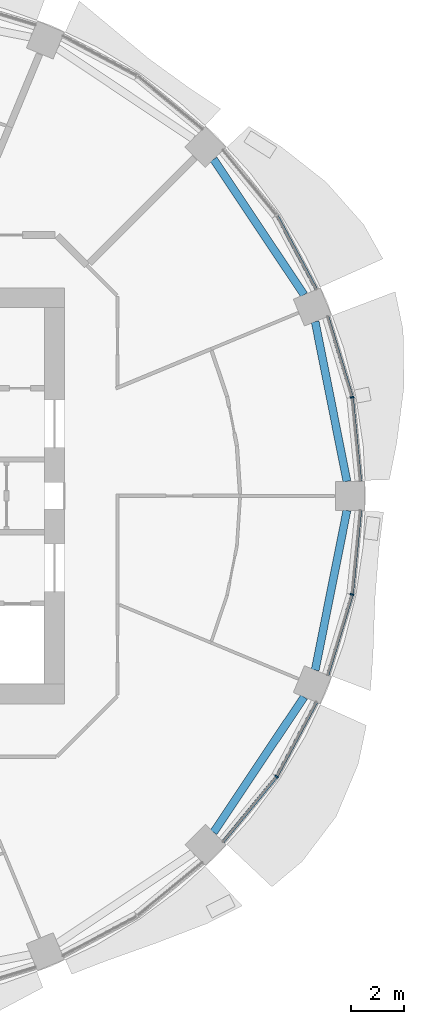
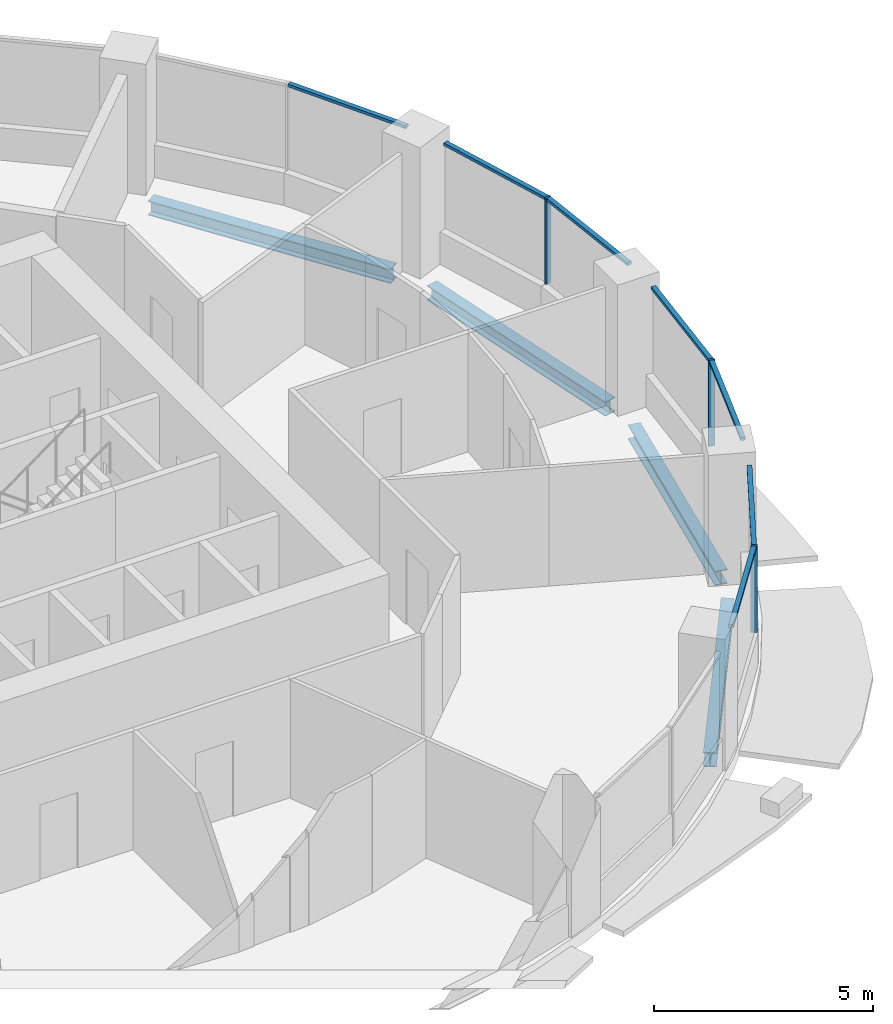
# One storey, part 4 of 14: 10 members, 4 beams, 4 elements without a shape of their own.
"""IFC4 building model written with IfcOpenShell, lengths in metres."""

from ifc_helpers import new_model, si_unit, direction, frame, origin, origin_2d, place, context, subcontext, project, spatial, rectangle, i_section, extrude, material, material_profile, profile_set, type_object, element, aggregate, save


model = new_model("IFC4")

# Units and contexts
model_context = context("Model", 3, precision=1e-05, world=origin(), true_north=direction((0.0, 1.0)))
body_context = subcontext(model_context, "Body", "Model", "MODEL_VIEW")
ifc_project = project(units=[si_unit("LENGTHUNIT", "METRE"), si_unit("AREAUNIT", "SQUARE_METRE"), si_unit("VOLUMEUNIT", "CUBIC_METRE"), si_unit("PLANEANGLEUNIT", "RADIAN"), si_unit("MASSUNIT", "GRAM", prefix="KILO")], contexts=[model_context])

# Site, building, storey
site_placement = place(None, origin())
site = spatial("IfcSite", under=ifc_project, at=site_placement, CompositionType="ELEMENT")
building_placement = place(site_placement, origin())
building = spatial("IfcBuilding", under=site, at=building_placement, Name="Polderwave Tower", CompositionType="ELEMENT")
storey_placement = place(building_placement, frame((0.0, 0.0, 101.949951171875)))
storey = spatial("IfcBuildingStorey", under=building, at=storey_placement, Name="L26", CompositionType="ELEMENT", Elevation=101.949951171875)

# Curtain wall, member
ifc_material_1 = material(Name="Aluminium 6063-T6 and glass", Category="aluminium")
curtain_wall_type = type_object("IfcCurtainWallType", Name="Growing floor ribbon glazing wall", PredefinedType="NOTDEFINED", material=ifc_material_1)
curtain_wall_1_placement = place(storey_placement, origin())
curtain_wall_1 = element("IfcCurtainWall", 1, at=curtain_wall_1_placement, inside=storey, type_object=curtain_wall_type, Name="CW2 L26 00", PredefinedType="NOTDEFINED")
ifc_material_2 = material(Name="Aluminium 6063-T6", Category="aluminium")
ifc_material_profile_1 = material_profile(ifc_material_2, rectangle(XDim=0.14990234375, YDim=0.06005859375, at=origin_2d()), Name="AL 60x150")
ifc_profile_set_1 = profile_set([ifc_material_profile_1], Name="Aluminium 6063-T6")
member_type_1 = type_object("IfcMemberType", Name="Growing floor ribbon glazing mullion 60x150", PredefinedType="MULLION", material=ifc_profile_set_1)
member_1_placement = place(storey_placement, frame((18.7529296875, 3.72998046875, 0.900146484375), z_axis=(0.0, 0.0, 1.0), x_axis=(-0.980780853692, -0.195112575278, 0.0)))
member_1 = element("IfcMember", 2, at=member_1_placement, type_object=member_type_1, Name="CW2 mullion 1", PredefinedType="MULLION", context=body_context, shape_type="SweptSolid", body=[
    extrude(rectangle(XDim=0.14990234375, YDim=0.06005859375, at=origin_2d()), origin(), (0.0, 0.0, 1.0), 2.39990234375),
])

curtain_wall_2_placement = place(storey_placement, origin())
curtain_wall_2 = element("IfcCurtainWall", 3, at=curtain_wall_2_placement, inside=storey, type_object=curtain_wall_type, Name="CW2 L26 14", PredefinedType="NOTDEFINED")
member_2_placement = place(storey_placement, frame((15.89794921875, -10.623046875, 0.900146484375), z_axis=(0.0, 0.0, 1.0), x_axis=(-0.831467672992, 0.555573135393, 0.0)))
member_2 = element("IfcMember", 4, at=member_2_placement, type_object=member_type_1, Name="CW2 mullion 1", PredefinedType="MULLION", context=body_context, shape_type="SweptSolid", body=[
    extrude(rectangle(XDim=0.14990234375, YDim=0.06005859375, at=origin_2d()), origin(), (0.0, 0.0, 1.0), 2.39990234375),
])

curtain_wall_3_placement = place(storey_placement, origin())
curtain_wall_3 = element("IfcCurtainWall", 5, at=curtain_wall_3_placement, inside=storey, type_object=curtain_wall_type, Name="CW2 L26 15", PredefinedType="NOTDEFINED")
member_3_placement = place(storey_placement, frame((18.7529296875, -3.72998046875, 0.900146484375), z_axis=(0.0, 0.0, 1.0), x_axis=(-0.980780853692, 0.195112575278, 0.0)))
member_3 = element("IfcMember", 6, at=member_3_placement, type_object=member_type_1, Name="CW2 mullion 1", PredefinedType="MULLION", context=body_context, shape_type="SweptSolid", body=[
    extrude(rectangle(XDim=0.14990234375, YDim=0.06005859375, at=origin_2d()), origin(), (0.0, 0.0, 1.0), 2.39990234375),
])

# Member
ifc_material_profile_2 = material_profile(ifc_material_2, rectangle(XDim=0.1201171875, YDim=0.080078125, at=origin_2d()), Name="AL 80x120")
ifc_profile_set_2 = profile_set([ifc_material_profile_2], Name="Aluminium 6063-T6")
member_type_2 = type_object("IfcMemberType", Name="Growing floor ribbon glazing transom 80x120", PredefinedType="USERDEFINED", material=ifc_profile_set_2)
member_4_placement = place(storey_placement, frame((19.06591796875, 0.550048828125, 3.260009765625), z_axis=(-0.097953388713, 0.995191003597, 0.0), x_axis=(-0.995191003597, -0.097953388713, 0.0)))
member_4 = element("IfcMember", 7, at=member_4_placement, type_object=member_type_2, Name="CW2 transom 1", ObjectType="TRANSOM", PredefinedType="USERDEFINED", context=body_context, shape_type="SweptSolid", body=[
    extrude(rectangle(XDim=0.1201171875, YDim=0.080078125, at=origin_2d()), origin(), (0.0, 0.0, 1.0), 3.165283203125),
])

member_5_placement = place(storey_placement, frame((18.744384765625, 3.7587890625, 3.260009765625), z_axis=(-0.290431166093, 0.956895886584, 0.0), x_axis=(-0.956895886584, -0.290431166093, 0.0)))
member_5 = element("IfcMember", 8, at=member_5_placement, type_object=member_type_2, Name="CW2 transom 2", ObjectType="TRANSOM", PredefinedType="USERDEFINED", context=body_context, shape_type="SweptSolid", body=[
    extrude(rectangle(XDim=0.1201171875, YDim=0.080078125, at=origin_2d()), origin(), (0.0, 0.0, 1.0), 3.165771484375),
])

aggregate(curtain_wall_1, [member_1, member_4, member_5])

# Curtain wall, member
curtain_wall_4_placement = place(storey_placement, origin())
curtain_wall_4 = element("IfcCurtainWall", 9, at=curtain_wall_4_placement, inside=storey, type_object=curtain_wall_type, Name="CW2 L26 01", PredefinedType="NOTDEFINED")
member_6_placement = place(storey_placement, frame((17.404052734375, 7.803955078125, 3.260009765625), z_axis=(-0.471232490074, 0.882009036404, 0.0), x_axis=(-0.882009036404, -0.471232490074, 0.0)))
member_6 = element("IfcMember", 10, at=member_6_placement, type_object=member_type_2, Name="CW2 transom 1", ObjectType="TRANSOM", PredefinedType="USERDEFINED", context=body_context, shape_type="SweptSolid", body=[
    extrude(rectangle(XDim=0.1201171875, YDim=0.080078125, at=origin_2d()), origin(), (0.0, 0.0, 1.0), 3.166015625),
])
aggregate(curtain_wall_4, [member_6])

# Member
member_7_placement = place(storey_placement, frame((13.8701171875, -13.093017578125, 3.260009765625), z_axis=(0.634538762198, 0.772891039712, 0.0), x_axis=(-0.772891039712, 0.634538762198, 0.0)))
member_7 = element("IfcMember", 11, at=member_7_placement, type_object=member_type_2, Name="CW2 transom 1", ObjectType="TRANSOM", PredefinedType="USERDEFINED", context=body_context, shape_type="SweptSolid", body=[
    extrude(rectangle(XDim=0.1201171875, YDim=0.080078125, at=origin_2d()), origin(), (0.0, 0.0, 1.0), 3.165771484375),
])

member_8_placement = place(storey_placement, frame((15.912109375, -10.596435546875, 3.260009765625), z_axis=(0.471232490074, 0.882009036404, 0.0), x_axis=(-0.882009036404, 0.471232490074, 0.0)))
member_8 = element("IfcMember", 12, at=member_8_placement, type_object=member_type_2, Name="CW2 transom 2", ObjectType="TRANSOM", PredefinedType="USERDEFINED", context=body_context, shape_type="SweptSolid", body=[
    extrude(rectangle(XDim=0.1201171875, YDim=0.080078125, at=origin_2d()), origin(), (0.0, 0.0, 1.0), 3.166015625),
])

aggregate(curtain_wall_2, [member_2, member_7, member_8])

member_9_placement = place(storey_placement, frame((17.824951171875, -6.7880859375, 3.260009765625), z_axis=(0.290431166093, 0.956895886584, 0.0), x_axis=(-0.956895886584, 0.290431166093, 0.0)))
member_9 = element("IfcMember", 13, at=member_9_placement, type_object=member_type_2, Name="CW2 transom 1", ObjectType="TRANSOM", PredefinedType="USERDEFINED", context=body_context, shape_type="SweptSolid", body=[
    extrude(rectangle(XDim=0.1201171875, YDim=0.080078125, at=origin_2d()), origin(), (0.0, 0.0, 1.0), 3.165771484375),
])

member_10_placement = place(storey_placement, frame((18.755859375, -3.7001953125, 3.260009765625), z_axis=(0.097953388713, 0.995191003597, 0.0), x_axis=(-0.995191003597, 0.097953388713, 0.0)))
member_10 = element("IfcMember", 14, at=member_10_placement, type_object=member_type_2, Name="CW2 transom 2", ObjectType="TRANSOM", PredefinedType="USERDEFINED", context=body_context, shape_type="SweptSolid", body=[
    extrude(rectangle(XDim=0.1201171875, YDim=0.080078125, at=origin_2d()), origin(), (0.0, 0.0, 1.0), 3.165283203125),
])

aggregate(curtain_wall_3, [member_3, member_9, member_10])

# Beams
ifc_material_3 = material(Name="Steel S355", Category="steel")
ifc_material_profile_3 = material_profile(ifc_material_3, i_section(OverallWidth=0.300048828125, OverallDepth=0.39990234375, WebThickness=0.013427734375, FlangeThickness=0.02392578125, at=origin_2d()), Name="HE 400 B")
ifc_profile_set_3 = profile_set([ifc_material_profile_3], Name="Steel S355")
beam_type = type_object("IfcBeamType", Name="RING BEAM HE 400 B", PredefinedType="BEAM", material=ifc_profile_set_3)
for number, where, z_axis, x_axis, name in (
    (15, (18.560546875, 0.550048828125, -0.550048828125), (-0.195095226048, 0.980784304918, 0.0), (-0.980784304918, -0.195095226048, 0.0), "ST-RB-L26-00"),
    (16, (16.937255859375, 7.611083984375, -0.550048828125), (-0.555586625808, 0.831458658758, 0.0), (-0.831458658758, -0.555586625808, 0.0), "ST-RB-L26-01"),
    (17, (13.51318359375, -12.7353515625, -0.550048828125), (0.555586625808, 0.831458658758, 0.0), (-0.831458658758, 0.555586625808, 0.0), "ST-RB-L26-14"),
    (18, (17.358154296875, -6.5947265625, -0.550048828125), (0.195095226048, 0.980784304918, 0.0), (-0.980784304918, 0.195095226048, 0.0), "ST-RB-L26-15"),
):
    element("IfcBeam", number, at=place(storey_placement, frame(where, z_axis=z_axis, x_axis=x_axis)), inside=storey, type_object=beam_type, Name=name, PredefinedType="BEAM", context=body_context, shape_type="SweptSolid", body=[
        extrude(i_section(OverallWidth=0.300048828125, OverallDepth=0.39990234375, WebThickness=0.013427734375, FlangeThickness=0.02392578125, at=origin_2d()), origin(), (0.0, 0.0, 1.0), 6.1630859375),
    ])

save(model, "model.ifc")
